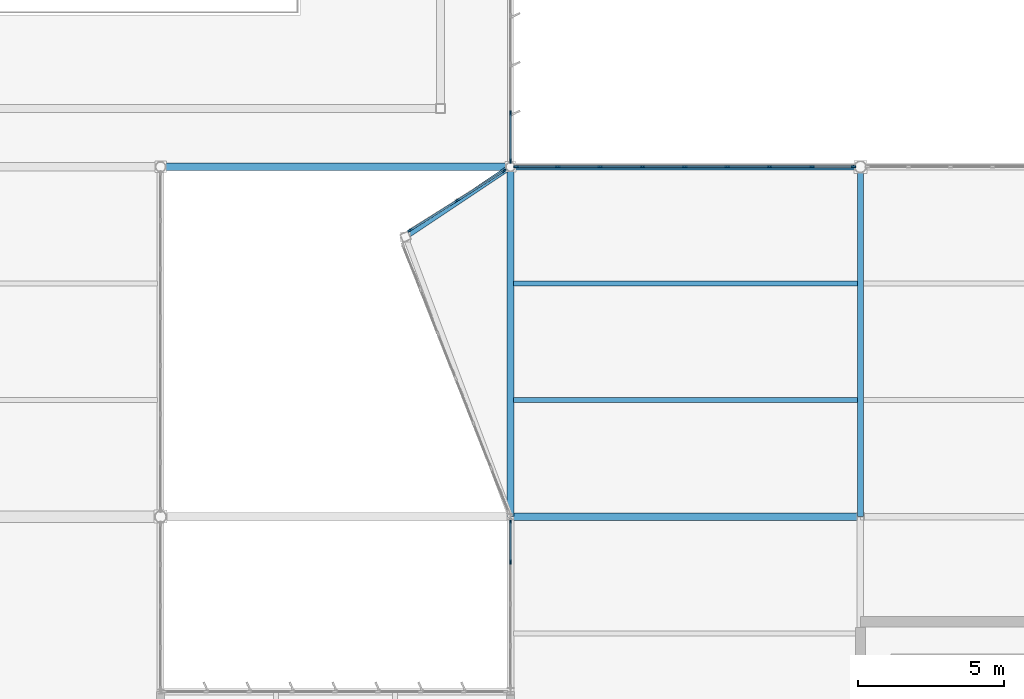
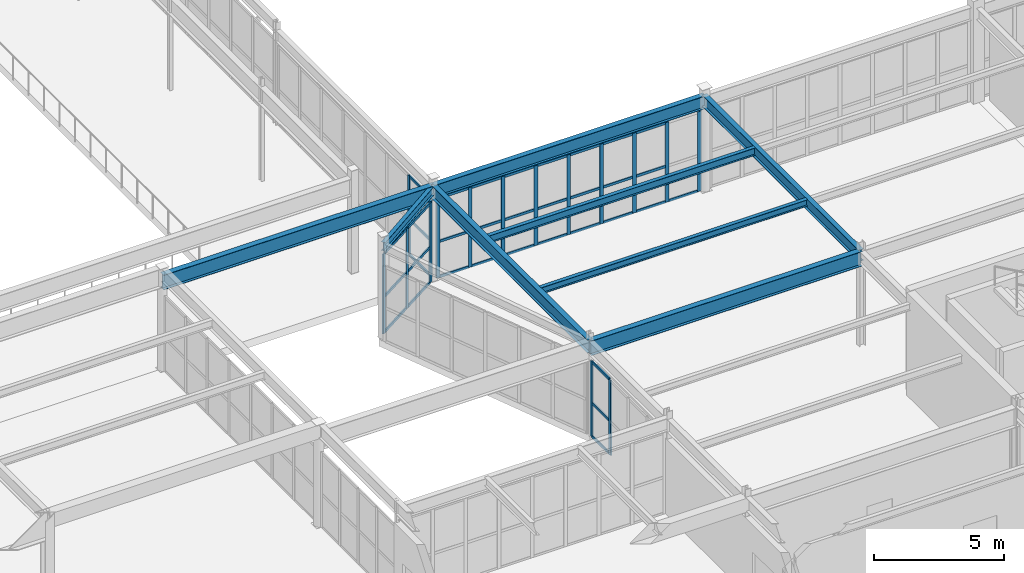
# One storey, part 93 of 186: 50 members, 8 beams, 4 elements without a shape of their own.
"""IFC4 building model written with IfcOpenShell, lengths in metres."""

from ifc_helpers import new_model, si_unit, direction, frame, origin, origin_2d, place, context, subcontext, project, spatial, rectangle, i_section, extrude, material, layer, layer_set, material_profile, profile_set, type_object, element, aggregate, save


model = new_model("IFC4")

# Units and contexts
model_context = context("Model", 3, precision=1e-05, world=origin(), true_north=direction((0.0, 1.0)))
body_context = subcontext(model_context, "Body", "Model", "MODEL_VIEW")
ifc_project = project(units=[si_unit("LENGTHUNIT", "METRE"), si_unit("AREAUNIT", "SQUARE_METRE"), si_unit("VOLUMEUNIT", "CUBIC_METRE"), si_unit("PLANEANGLEUNIT", "RADIAN"), si_unit("MASSUNIT", "GRAM", prefix="KILO")], contexts=[model_context])

# Site, building, storey
site_placement = place(None, origin())
site = spatial("IfcSite", under=ifc_project, at=site_placement, CompositionType="ELEMENT")
building_placement = place(site_placement, origin())
building = spatial("IfcBuilding", under=site, at=building_placement, Name="Tarnwether General Hospital", CompositionType="ELEMENT")
storey_placement = place(building_placement, frame((0.0, 0.0, 9.60009765625)))
storey = spatial("IfcBuildingStorey", under=building, at=storey_placement, Name="L02", CompositionType="ELEMENT", Elevation=9.60009765625)

# Beams
ifc_material_1 = material(Name="Steel Grade 350 (350 MPa)", Category="steel")
ifc_material_profile_1 = material_profile(ifc_material_1, i_section(OverallWidth=0.25, OverallDepth=0.69189453125, WebThickness=0.009033203125, FlangeThickness=0.01611328125, at=origin_2d()), Name="700WB115")
ifc_profile_set_1 = profile_set([ifc_material_profile_1], Name="Steel Grade 350 (350 MPa)")
beam_type_1 = type_object("IfcBeamType", Name="BM-G02", PredefinedType="BEAM", material=ifc_profile_set_1)
for number, where, z_axis, x_axis, name in (
    (1, (132.0, 45.60009765625, 4.098876953125), (1.0, 0.0, 0.0), (0.0, 1.0, 0.0), "Primary Girder BMG-L02-13200_4560-14400_4560-1557"),
    (2, (144.0, 33.60009765625, 4.098876953125), (1.0, 0.0, 0.0), (0.0, 1.0, 0.0), "Primary Girder BMG-L02-14400_3360-15600_3360-1573"),
):
    element("IfcBeam", number, at=place(storey_placement, frame(where, z_axis=z_axis, x_axis=x_axis)), inside=storey, type_object=beam_type_1, Name=name, PredefinedType="BEAM", context=body_context, shape_type="SweptSolid", body=[
        extrude(i_section(OverallWidth=0.25, OverallDepth=0.69189453125, WebThickness=0.009033203125, FlangeThickness=0.01611328125, at=origin_2d()), origin(), (0.0, 0.0, 1.0), 12.0),
    ])
ifc_material_2 = material(Name="Steel Grade 350 (350 MPa)", Category="steel")
ifc_material_profile_2 = material_profile(ifc_material_2, i_section(OverallWidth=0.22900390625, OverallDepth=0.612060546875, WebThickness=0.011962890625, FlangeThickness=0.01953125, at=origin_2d()), Name="610UB125")
ifc_profile_set_2 = profile_set([ifc_material_profile_2], Name="Steel Grade 350 (350 MPa)")
beam_type_2 = type_object("IfcBeamType", Name="BM-G03", PredefinedType="BEAM", material=ifc_profile_set_2)
beam_1_placement = place(storey_placement, frame((144.0, 45.60009765625, 4.138916015625), z_axis=(1.0, 0.0, 0.0), x_axis=(0.0, 1.0, 0.0)))
element("IfcBeam", 3, at=beam_1_placement, inside=storey, type_object=beam_type_2, Name="Primary Girder BMG-L02-14400_4560-15600_4560-1575", PredefinedType="BEAM", context=body_context, shape_type="SweptSolid", body=[
    extrude(i_section(OverallWidth=0.22900390625, OverallDepth=0.612060546875, WebThickness=0.011962890625, FlangeThickness=0.01953125, at=origin_2d()), origin(), (0.0, 0.0, 1.0), 12.0),
])
ifc_material_3 = material(Name="Steel Grade 350 (350 MPa)", Category="steel")
ifc_material_profile_3 = material_profile(ifc_material_3, i_section(OverallWidth=0.22802734375, OverallDepth=0.60205078125, WebThickness=0.010498046875, FlangeThickness=0.014892578125, at=origin_2d()), Name="610UB101")
ifc_profile_set_3 = profile_set([ifc_material_profile_3], Name="Steel Grade 350 (350 MPa)")
beam_type_3 = type_object("IfcBeamType", Name="BM-G05", PredefinedType="BEAM", material=ifc_profile_set_3)
beam_2_placement = place(storey_placement, frame((144.0, 33.60009765625, 4.143798828125), z_axis=(0.0, 1.0, 0.0), x_axis=(-1.0, 0.0, 0.0)))
element("IfcBeam", 4, at=beam_2_placement, inside=storey, type_object=beam_type_3, Name="Primary Girder BMG-L02-14400_3360-14400_4560-1574", PredefinedType="BEAM", context=body_context, shape_type="SweptSolid", body=[
    extrude(i_section(OverallWidth=0.22802734375, OverallDepth=0.60205078125, WebThickness=0.010498046875, FlangeThickness=0.014892578125, at=origin_2d()), origin(), (0.0, 0.0, 1.0), 12.0),
])
ifc_material_4 = material(Name="Steel Grade 350 (350 MPa)", Category="steel")
ifc_material_profile_4 = material_profile(ifc_material_4, i_section(OverallWidth=0.208984375, OverallDepth=0.532958984375, WebThickness=0.01025390625, FlangeThickness=0.015625, at=origin_2d()), Name="530UB92.4")
ifc_profile_set_4 = profile_set([ifc_material_profile_4], Name="Steel Grade 350 (350 MPa)")
beam_type_4 = type_object("IfcBeamType", Name="BM-G06", PredefinedType="BEAM", material=ifc_profile_set_4)
beam_3_placement = place(storey_placement, frame((156.0, 33.60009765625, 4.178466796875), z_axis=(0.0, 1.0, 0.0), x_axis=(-1.0, 0.0, 0.0)))
element("IfcBeam", 5, at=beam_3_placement, inside=storey, type_object=beam_type_4, Name="Primary Girder BMG-L02-15600_3360-15600_4560-1595", PredefinedType="BEAM", context=body_context, shape_type="SweptSolid", body=[
    extrude(i_section(OverallWidth=0.208984375, OverallDepth=0.532958984375, WebThickness=0.01025390625, FlangeThickness=0.015625, at=origin_2d()), origin(), (0.0, 0.0, 1.0), 12.0),
])
ifc_material_5 = material(Name="Steel Grade 350 (350 MPa)", Category="steel")
ifc_material_profile_5 = material_profile(ifc_material_5, i_section(OverallWidth=0.166015625, OverallDepth=0.306884765625, WebThickness=0.006591796875, FlangeThickness=0.01171875, at=origin_2d()), Name="310UB46.2")
ifc_profile_set_5 = profile_set([ifc_material_profile_5], Name="Steel Grade 350 (350 MPa)")
beam_type_5 = type_object("IfcBeamType", Name="BM-J05", PredefinedType="JOIST", material=ifc_profile_set_5)
beam_4_placement = place(storey_placement, frame((144.10791015625, 37.60009765625, 4.29150390625), z_axis=(1.0, 0.0, 0.0), x_axis=(0.0, 1.0, 0.0)))
element("IfcBeam", 6, at=beam_4_placement, inside=storey, type_object=beam_type_5, Name="Composite Floor Joist BMG-L02-14411_3760-15590_3760-1712", PredefinedType="JOIST", context=body_context, shape_type="SweptSolid", body=[
    extrude(i_section(OverallWidth=0.166015625, OverallDepth=0.306884765625, WebThickness=0.006591796875, FlangeThickness=0.01171875, at=origin_2d()), origin(), (0.0, 0.0, 1.0), 11.79296875),
])
ifc_material_6 = material(Name="Steel Grade 350 (350 MPa)", Category="steel")
ifc_material_profile_6 = material_profile(ifc_material_6, i_section(OverallWidth=0.1708984375, OverallDepth=0.35205078125, WebThickness=0.0068359375, FlangeThickness=0.009765625, at=origin_2d()), Name="360UB44.7")
ifc_profile_set_6 = profile_set([ifc_material_profile_6], Name="Steel Grade 350 (350 MPa)")
beam_type_6 = type_object("IfcBeamType", Name="BM-J06", PredefinedType="JOIST", material=ifc_profile_set_6)
beam_5_placement = place(storey_placement, frame((144.10791015625, 41.60009765625, 4.268798828125), z_axis=(1.0, 0.0, 0.0), x_axis=(0.0, 1.0, 0.0)))
element("IfcBeam", 7, at=beam_5_placement, inside=storey, type_object=beam_type_6, Name="Composite Floor Joist BMG-L02-14411_4160-15590_4160-1713", PredefinedType="JOIST", context=body_context, shape_type="SweptSolid", body=[
    extrude(i_section(OverallWidth=0.1708984375, OverallDepth=0.35205078125, WebThickness=0.0068359375, FlangeThickness=0.009765625, at=origin_2d()), origin(), (0.0, 0.0, 1.0), 11.79296875),
])
ifc_material_7 = material(Name="Steel Grade 350 (350 MPa)", Category="steel")
ifc_material_profile_7 = material_profile(ifc_material_7, i_section(OverallWidth=0.177978515625, OverallDepth=0.403076171875, WebThickness=0.007568359375, FlangeThickness=0.010986328125, at=origin_2d()), Name="410UB53.7")
ifc_profile_set_7 = profile_set([ifc_material_profile_7], Name="Steel Grade 350 (350 MPa)")
beam_type_7 = type_object("IfcBeamType", Name="BM-SP2", PredefinedType="SPANDREL", material=ifc_profile_set_7)
beam_6_placement = place(storey_placement, frame((140.39990234375, 43.199951171875, 4.228515625), z_axis=(0.832041613482, 0.554713217289, 0.0), x_axis=(-0.554713217289, 0.832041613482, 0.0)))
element("IfcBeam", 8, at=beam_6_placement, inside=storey, type_object=beam_type_7, Name="Forecourt South Shard Tie BMG-L02-14040_4320-14400_4560-2233", PredefinedType="SPANDREL", context=body_context, shape_type="SweptSolid", body=[
    extrude(i_section(OverallWidth=0.177978515625, OverallDepth=0.403076171875, WebThickness=0.007568359375, FlangeThickness=0.010986328125, at=origin_2d()), origin(), (0.0, 0.0, 1.0), 4.326904296875),
])

# Curtain wall, members
ifc_material_8 = material(Name="Anodised aluminium", Category="aluminium")
ifc_layer_1 = layer(ifc_material_8, 0.179931640625)
ifc_layer_set_1 = layer_set([ifc_layer_1], Name="Anodised aluminium")
curtain_wall_type_1 = type_object("IfcCurtainWallType", Name="CW-06", PredefinedType="NOTDEFINED", material=ifc_layer_set_1)
curtain_wall_1_placement = place(storey_placement, origin())
curtain_wall_1 = element("IfcCurtainWall", 9, at=curtain_wall_1_placement, inside=storey, type_object=curtain_wall_type_1, Name="Curtain Wall CWG-L02-1440_575-0418", PredefinedType="NOTDEFINED")
ifc_material_9 = material(Name="Anodised aluminium", Category="aluminium")
ifc_material_profile_8 = material_profile(ifc_material_9, rectangle(XDim=0.06005859375, YDim=0.159912109375, at=origin_2d()), Name="ALU-MUL-60x160")
ifc_profile_set_8 = profile_set([ifc_material_profile_8], Name="Anodised aluminium")
member_type_1 = type_object("IfcMemberType", Name="CW-ML1", PredefinedType="MULLION", material=ifc_profile_set_8)
member_1_placement = place(storey_placement, frame((144.0, 47.4443359375, 0.0), z_axis=(0.0, 0.0, 1.0), x_axis=(1.0, 0.0, 0.0)))
member_1 = element("IfcMember", 10, at=member_1_placement, type_object=member_type_1, Name="CW-06 mullion 7", PredefinedType="MULLION", context=body_context, shape_type="SweptSolid", body=[
    extrude(rectangle(XDim=0.06005859375, YDim=0.159912109375, at=origin_2d()), origin(), (0.0, 0.0, 1.0), 3.73779296875),
])
member_2_placement = place(storey_placement, frame((144.0, 45.800048828125, 0.0), z_axis=(0.0, 0.0, 1.0), x_axis=(1.0, 0.0, 0.0)))
member_2 = element("IfcMember", 11, at=member_2_placement, type_object=member_type_1, Name="CW-06 mullion 8", PredefinedType="MULLION", context=body_context, shape_type="SweptSolid", body=[
    extrude(rectangle(XDim=0.06005859375, YDim=0.159912109375, at=origin_2d()), origin(), (0.0, 0.0, 1.0), 3.73779296875),
])

ifc_material_10 = material(Name="Anodised aluminium", Category="aluminium")
ifc_layer_2 = layer(ifc_material_10, 0.159912109375)
ifc_layer_set_2 = layer_set([ifc_layer_2], Name="Anodised aluminium")
curtain_wall_type_2 = type_object("IfcCurtainWallType", Name="CW-15", PredefinedType="NOTDEFINED", material=ifc_layer_set_2)
curtain_wall_2_placement = place(storey_placement, origin())
curtain_wall_2 = element("IfcCurtainWall", 12, at=curtain_wall_2_placement, inside=storey, type_object=curtain_wall_type_2, Name="Curtain Wall CWG-L02-1440_277-0440", PredefinedType="NOTDEFINED")
member_3_placement = place(storey_placement, frame((144.0, 32.049072265625, 0.0), z_axis=(0.0, 0.0, 1.0), x_axis=(-1.0, 0.0, 0.0)))
member_3 = element("IfcMember", 13, at=member_3_placement, type_object=member_type_1, Name="CW-15 mullion 4", PredefinedType="MULLION", context=body_context, shape_type="SweptSolid", body=[
    extrude(rectangle(XDim=0.06005859375, YDim=0.159912109375, at=origin_2d()), origin(), (0.0, 0.0, 1.0), 3.52978515625),
])
member_4_placement = place(storey_placement, frame((144.0, 33.45703125, 0.0), z_axis=(0.0, 0.0, 1.0), x_axis=(-1.0, 0.0, 0.0)))
member_4 = element("IfcMember", 14, at=member_4_placement, type_object=member_type_1, Name="CW-15 mullion 5", PredefinedType="MULLION", context=body_context, shape_type="SweptSolid", body=[
    extrude(rectangle(XDim=0.06005859375, YDim=0.159912109375, at=origin_2d()), origin(), (0.0, 0.0, 1.0), 3.52978515625),
])

curtain_wall_3_placement = place(storey_placement, origin())
curtain_wall_3 = element("IfcCurtainWall", 15, at=curtain_wall_3_placement, inside=storey, type_object=curtain_wall_type_2, Name="Curtain Wall CWG-L02-1405_434-0442", PredefinedType="NOTDEFINED")
member_5_placement = place(storey_placement, frame((140.55029296875, 43.4208984375, 0.0), z_axis=(0.0, 0.0, 1.0), x_axis=(-0.534002692561, 0.845482775896, 0.0)))
member_5 = element("IfcMember", 16, at=member_5_placement, type_object=member_type_1, Name="CW-15 mullion 1", PredefinedType="MULLION", context=body_context, shape_type="SweptSolid", body=[
    extrude(rectangle(XDim=0.06005859375, YDim=0.159912109375, at=origin_2d()), origin(), (0.0, 0.0, 1.0), 3.73779296875),
])
member_6_placement = place(storey_placement, frame((142.16455078125, 44.4404296875, 0.0), z_axis=(0.0, 0.0, 1.0), x_axis=(-0.534002692561, 0.845482775896, 0.0)))
member_6 = element("IfcMember", 17, at=member_6_placement, type_object=member_type_1, Name="CW-15 mullion 2", PredefinedType="MULLION", context=body_context, shape_type="SweptSolid", body=[
    extrude(rectangle(XDim=0.06005859375, YDim=0.159912109375, at=origin_2d()), origin(), (0.0, 0.0, 1.0), 3.73779296875),
])
member_7_placement = place(storey_placement, frame((143.778564453125, 45.4599609375, 0.0), z_axis=(0.0, 0.0, 1.0), x_axis=(-0.534002692561, 0.845482775896, 0.0)))
member_7 = element("IfcMember", 18, at=member_7_placement, type_object=member_type_1, Name="CW-15 mullion 3", PredefinedType="MULLION", context=body_context, shape_type="SweptSolid", body=[
    extrude(rectangle(XDim=0.06005859375, YDim=0.159912109375, at=origin_2d()), origin(), (0.0, 0.0, 1.0), 3.73779296875),
])

ifc_material_11 = material(Name="Anodised aluminium", Category="aluminium")
ifc_layer_3 = layer(ifc_material_11, 0.159912109375)
ifc_layer_set_3 = layer_set([ifc_layer_3], Name="Anodised aluminium")
curtain_wall_type_3 = type_object("IfcCurtainWallType", Name="CW-18", PredefinedType="NOTDEFINED", material=ifc_layer_set_3)
curtain_wall_4_placement = place(storey_placement, origin())
curtain_wall_4 = element("IfcCurtainWall", 19, at=curtain_wall_4_placement, inside=storey, type_object=curtain_wall_type_3, Name="Curtain Wall CWG-L02-1442_456-0452", PredefinedType="NOTDEFINED")
member_8_placement = place(storey_placement, frame((144.199951171875, 45.60009765625, 0.0), z_axis=(0.0, 0.0, 1.0), x_axis=(0.0, 1.0, 0.0)))
member_8 = element("IfcMember", 20, at=member_8_placement, type_object=member_type_1, Name="CW-18 mullion 1", PredefinedType="MULLION", context=body_context, shape_type="SweptSolid", body=[
    extrude(rectangle(XDim=0.06005859375, YDim=0.159912109375, at=origin_2d()), origin(), (0.0, 0.0, 1.0), 3.73779296875),
])
member_9_placement = place(storey_placement, frame((145.622314453125, 45.60009765625, 0.0), z_axis=(0.0, 0.0, 1.0), x_axis=(0.0, 1.0, 0.0)))
member_9 = element("IfcMember", 21, at=member_9_placement, type_object=member_type_1, Name="CW-18 mullion 2", PredefinedType="MULLION", context=body_context, shape_type="SweptSolid", body=[
    extrude(rectangle(XDim=0.06005859375, YDim=0.159912109375, at=origin_2d()), origin(), (0.0, 0.0, 1.0), 3.73779296875),
])
member_10_placement = place(storey_placement, frame((147.07470703125, 45.60009765625, 0.0), z_axis=(0.0, 0.0, 1.0), x_axis=(0.0, 1.0, 0.0)))
member_10 = element("IfcMember", 22, at=member_10_placement, type_object=member_type_1, Name="CW-18 mullion 3", PredefinedType="MULLION", context=body_context, shape_type="SweptSolid", body=[
    extrude(rectangle(XDim=0.06005859375, YDim=0.159912109375, at=origin_2d()), origin(), (0.0, 0.0, 1.0), 3.73779296875),
])
member_11_placement = place(storey_placement, frame((148.527099609375, 45.60009765625, 0.0), z_axis=(0.0, 0.0, 1.0), x_axis=(0.0, 1.0, 0.0)))
member_11 = element("IfcMember", 23, at=member_11_placement, type_object=member_type_1, Name="CW-18 mullion 4", PredefinedType="MULLION", context=body_context, shape_type="SweptSolid", body=[
    extrude(rectangle(XDim=0.06005859375, YDim=0.159912109375, at=origin_2d()), origin(), (0.0, 0.0, 1.0), 3.73779296875),
])
member_12_placement = place(storey_placement, frame((149.9794921875, 45.60009765625, 0.0), z_axis=(0.0, 0.0, 1.0), x_axis=(0.0, 1.0, 0.0)))
member_12 = element("IfcMember", 24, at=member_12_placement, type_object=member_type_1, Name="CW-18 mullion 5", PredefinedType="MULLION", context=body_context, shape_type="SweptSolid", body=[
    extrude(rectangle(XDim=0.06005859375, YDim=0.159912109375, at=origin_2d()), origin(), (0.0, 0.0, 1.0), 3.73779296875),
])
member_13_placement = place(storey_placement, frame((151.431884765625, 45.60009765625, 0.0), z_axis=(0.0, 0.0, 1.0), x_axis=(0.0, 1.0, 0.0)))
member_13 = element("IfcMember", 25, at=member_13_placement, type_object=member_type_1, Name="CW-18 mullion 6", PredefinedType="MULLION", context=body_context, shape_type="SweptSolid", body=[
    extrude(rectangle(XDim=0.06005859375, YDim=0.159912109375, at=origin_2d()), origin(), (0.0, 0.0, 1.0), 3.73779296875),
])
member_14_placement = place(storey_placement, frame((152.88427734375, 45.60009765625, 0.0), z_axis=(0.0, 0.0, 1.0), x_axis=(0.0, 1.0, 0.0)))
member_14 = element("IfcMember", 26, at=member_14_placement, type_object=member_type_1, Name="CW-18 mullion 7", PredefinedType="MULLION", context=body_context, shape_type="SweptSolid", body=[
    extrude(rectangle(XDim=0.06005859375, YDim=0.159912109375, at=origin_2d()), origin(), (0.0, 0.0, 1.0), 3.73779296875),
])
member_15_placement = place(storey_placement, frame((154.336669921875, 45.60009765625, 0.0), z_axis=(0.0, 0.0, 1.0), x_axis=(0.0, 1.0, 0.0)))
member_15 = element("IfcMember", 27, at=member_15_placement, type_object=member_type_1, Name="CW-18 mullion 8", PredefinedType="MULLION", context=body_context, shape_type="SweptSolid", body=[
    extrude(rectangle(XDim=0.06005859375, YDim=0.159912109375, at=origin_2d()), origin(), (0.0, 0.0, 1.0), 3.73779296875),
])
member_16_placement = place(storey_placement, frame((155.759033203125, 45.60009765625, 0.0), z_axis=(0.0, 0.0, 1.0), x_axis=(0.0, 1.0, 0.0)))
member_16 = element("IfcMember", 28, at=member_16_placement, type_object=member_type_1, Name="CW-18 mullion 9", PredefinedType="MULLION", context=body_context, shape_type="SweptSolid", body=[
    extrude(rectangle(XDim=0.06005859375, YDim=0.159912109375, at=origin_2d()), origin(), (0.0, 0.0, 1.0), 3.73779296875),
])

# Member
ifc_material_12 = material(Name="Anodised aluminium", Category="aluminium")
ifc_material_profile_9 = material_profile(ifc_material_12, rectangle(XDim=0.06005859375, YDim=0.1201171875, at=origin_2d()), Name="ALU-TRN-60x120")
ifc_profile_set_9 = profile_set([ifc_material_profile_9], Name="Anodised aluminium")
member_type_2 = type_object("IfcMemberType", Name="CW-TR1", PredefinedType="USERDEFINED", material=ifc_profile_set_9)
member_17_placement = place(storey_placement, frame((144.0, 47.414306640625, 0.02978515625), z_axis=(0.0, -1.0, 0.0), x_axis=(1.0, 0.0, 0.0)))
member_17 = element("IfcMember", 29, at=member_17_placement, type_object=member_type_2, Name="CW-06 transom 7.1", ObjectType="TRANSOM", PredefinedType="USERDEFINED", context=body_context, shape_type="SweptSolid", body=[
    extrude(rectangle(XDim=0.06005859375, YDim=0.1201171875, at=origin_2d()), origin(), (0.0, 0.0, 1.0), 1.584228515625),
])

member_18_placement = place(storey_placement, frame((144.0, 47.414306640625, 1.681884765625), z_axis=(0.0, -1.0, 0.0), x_axis=(1.0, 0.0, 0.0)))
member_18 = element("IfcMember", 30, at=member_18_placement, type_object=member_type_2, Name="CW-06 transom 7.2", ObjectType="TRANSOM", PredefinedType="USERDEFINED", context=body_context, shape_type="SweptSolid", body=[
    extrude(rectangle(XDim=0.06005859375, YDim=0.1201171875, at=origin_2d()), origin(), (0.0, 0.0, 1.0), 1.584228515625),
])

member_19_placement = place(storey_placement, frame((144.0, 47.414306640625, 3.7080078125), z_axis=(0.0, -1.0, 0.0), x_axis=(1.0, 0.0, 0.0)))
member_19 = element("IfcMember", 31, at=member_19_placement, type_object=member_type_2, Name="CW-06 transom 7.3", ObjectType="TRANSOM", PredefinedType="USERDEFINED", context=body_context, shape_type="SweptSolid", body=[
    extrude(rectangle(XDim=0.06005859375, YDim=0.1201171875, at=origin_2d()), origin(), (0.0, 0.0, 1.0), 1.584228515625),
])

aggregate(curtain_wall_1, [member_1, member_2, member_17, member_18, member_19])

member_20_placement = place(storey_placement, frame((144.0, 32.0791015625, 0.02978515625), z_axis=(0.0, 1.0, 0.0), x_axis=(-1.0, 0.0, 0.0)))
member_20 = element("IfcMember", 32, at=member_20_placement, type_object=member_type_2, Name="CW-15 transom 4.1", ObjectType="TRANSOM", PredefinedType="USERDEFINED", context=body_context, shape_type="SweptSolid", body=[
    extrude(rectangle(XDim=0.06005859375, YDim=0.1201171875, at=origin_2d()), origin(), (0.0, 0.0, 1.0), 1.347900390625),
])

member_21_placement = place(storey_placement, frame((144.0, 32.0791015625, 1.58837890625), z_axis=(0.0, 1.0, 0.0), x_axis=(-1.0, 0.0, 0.0)))
member_21 = element("IfcMember", 33, at=member_21_placement, type_object=member_type_2, Name="CW-15 transom 4.2", ObjectType="TRANSOM", PredefinedType="USERDEFINED", context=body_context, shape_type="SweptSolid", body=[
    extrude(rectangle(XDim=0.06005859375, YDim=0.1201171875, at=origin_2d()), origin(), (0.0, 0.0, 1.0), 1.347900390625),
])

member_22_placement = place(storey_placement, frame((144.0, 32.0791015625, 3.5), z_axis=(0.0, 1.0, 0.0), x_axis=(-1.0, 0.0, 0.0)))
member_22 = element("IfcMember", 34, at=member_22_placement, type_object=member_type_2, Name="CW-15 transom 4.3", ObjectType="TRANSOM", PredefinedType="USERDEFINED", context=body_context, shape_type="SweptSolid", body=[
    extrude(rectangle(XDim=0.06005859375, YDim=0.1201171875, at=origin_2d()), origin(), (0.0, 0.0, 1.0), 1.347900390625),
])

aggregate(curtain_wall_2, [member_3, member_4, member_20, member_21, member_22])

member_23_placement = place(storey_placement, frame((140.57568359375, 43.43701171875, 0.02978515625), z_axis=(0.845466942272, 0.534027761007, 0.0), x_axis=(-0.534027761007, 0.845466942272, 0.0)))
member_23 = element("IfcMember", 35, at=member_23_placement, type_object=member_type_2, Name="CW-15 transom 1.1", ObjectType="TRANSOM", PredefinedType="USERDEFINED", context=body_context, shape_type="SweptSolid", body=[
    extrude(rectangle(XDim=0.06005859375, YDim=0.1201171875, at=origin_2d()), origin(), (0.0, 0.0, 1.0), 1.849365234375),
])

member_24_placement = place(storey_placement, frame((140.57568359375, 43.43701171875, 1.681884765625), z_axis=(0.845466942272, 0.534027761007, 0.0), x_axis=(-0.534027761007, 0.845466942272, 0.0)))
member_24 = element("IfcMember", 36, at=member_24_placement, type_object=member_type_2, Name="CW-15 transom 1.2", ObjectType="TRANSOM", PredefinedType="USERDEFINED", context=body_context, shape_type="SweptSolid", body=[
    extrude(rectangle(XDim=0.06005859375, YDim=0.1201171875, at=origin_2d()), origin(), (0.0, 0.0, 1.0), 1.849365234375),
])

member_25_placement = place(storey_placement, frame((140.57568359375, 43.43701171875, 3.7080078125), z_axis=(0.845466942272, 0.534027761007, 0.0), x_axis=(-0.534027761007, 0.845466942272, 0.0)))
member_25 = element("IfcMember", 37, at=member_25_placement, type_object=member_type_2, Name="CW-15 transom 1.3", ObjectType="TRANSOM", PredefinedType="USERDEFINED", context=body_context, shape_type="SweptSolid", body=[
    extrude(rectangle(XDim=0.06005859375, YDim=0.1201171875, at=origin_2d()), origin(), (0.0, 0.0, 1.0), 1.849365234375),
])

member_26_placement = place(storey_placement, frame((142.18994140625, 44.45654296875, 0.02978515625), z_axis=(0.845488903031, 0.533992991388, 0.0), x_axis=(-0.533992991388, 0.845488903031, 0.0)))
member_26 = element("IfcMember", 38, at=member_26_placement, type_object=member_type_2, Name="CW-15 transom 2.1", ObjectType="TRANSOM", PredefinedType="USERDEFINED", context=body_context, shape_type="SweptSolid", body=[
    extrude(rectangle(XDim=0.06005859375, YDim=0.1201171875, at=origin_2d()), origin(), (0.0, 0.0, 1.0), 1.848876953125),
])

member_27_placement = place(storey_placement, frame((142.18994140625, 44.45654296875, 1.681884765625), z_axis=(0.845488903031, 0.533992991388, 0.0), x_axis=(-0.533992991388, 0.845488903031, 0.0)))
member_27 = element("IfcMember", 39, at=member_27_placement, type_object=member_type_2, Name="CW-15 transom 2.2", ObjectType="TRANSOM", PredefinedType="USERDEFINED", context=body_context, shape_type="SweptSolid", body=[
    extrude(rectangle(XDim=0.06005859375, YDim=0.1201171875, at=origin_2d()), origin(), (0.0, 0.0, 1.0), 1.848876953125),
])

member_28_placement = place(storey_placement, frame((142.18994140625, 44.45654296875, 3.7080078125), z_axis=(0.845488903031, 0.533992991388, 0.0), x_axis=(-0.533992991388, 0.845488903031, 0.0)))
member_28 = element("IfcMember", 40, at=member_28_placement, type_object=member_type_2, Name="CW-15 transom 2.3", ObjectType="TRANSOM", PredefinedType="USERDEFINED", context=body_context, shape_type="SweptSolid", body=[
    extrude(rectangle(XDim=0.06005859375, YDim=0.1201171875, at=origin_2d()), origin(), (0.0, 0.0, 1.0), 1.848876953125),
])

aggregate(curtain_wall_3, [member_5, member_6, member_7, member_23, member_24, member_25, member_26, member_27, member_28])

member_29_placement = place(storey_placement, frame((144.22998046875, 45.60009765625, 0.02978515625), z_axis=(1.0, 0.0, 0.0), x_axis=(0.0, 1.0, 0.0)))
member_29 = element("IfcMember", 41, at=member_29_placement, type_object=member_type_2, Name="CW-18 transom 1.1", ObjectType="TRANSOM", PredefinedType="USERDEFINED", context=body_context, shape_type="SweptSolid", body=[
    extrude(rectangle(XDim=0.06005859375, YDim=0.1201171875, at=origin_2d()), origin(), (0.0, 0.0, 1.0), 1.3623046875),
])

member_30_placement = place(storey_placement, frame((144.22998046875, 45.60009765625, 1.681884765625), z_axis=(1.0, 0.0, 0.0), x_axis=(0.0, 1.0, 0.0)))
member_30 = element("IfcMember", 42, at=member_30_placement, type_object=member_type_2, Name="CW-18 transom 1.2", ObjectType="TRANSOM", PredefinedType="USERDEFINED", context=body_context, shape_type="SweptSolid", body=[
    extrude(rectangle(XDim=0.06005859375, YDim=0.1201171875, at=origin_2d()), origin(), (0.0, 0.0, 1.0), 1.3623046875),
])

member_31_placement = place(storey_placement, frame((144.22998046875, 45.60009765625, 3.7080078125), z_axis=(1.0, 0.0, 0.0), x_axis=(0.0, 1.0, 0.0)))
member_31 = element("IfcMember", 43, at=member_31_placement, type_object=member_type_2, Name="CW-18 transom 1.3", ObjectType="TRANSOM", PredefinedType="USERDEFINED", context=body_context, shape_type="SweptSolid", body=[
    extrude(rectangle(XDim=0.06005859375, YDim=0.1201171875, at=origin_2d()), origin(), (0.0, 0.0, 1.0), 1.3623046875),
])

member_32_placement = place(storey_placement, frame((145.65234375, 45.60009765625, 0.02978515625), z_axis=(1.0, 0.0, 0.0), x_axis=(0.0, 1.0, 0.0)))
member_32 = element("IfcMember", 44, at=member_32_placement, type_object=member_type_2, Name="CW-18 transom 2.1", ObjectType="TRANSOM", PredefinedType="USERDEFINED", context=body_context, shape_type="SweptSolid", body=[
    extrude(rectangle(XDim=0.06005859375, YDim=0.1201171875, at=origin_2d()), origin(), (0.0, 0.0, 1.0), 1.392333984375),
])

member_33_placement = place(storey_placement, frame((145.65234375, 45.60009765625, 1.681884765625), z_axis=(1.0, 0.0, 0.0), x_axis=(0.0, 1.0, 0.0)))
member_33 = element("IfcMember", 45, at=member_33_placement, type_object=member_type_2, Name="CW-18 transom 2.2", ObjectType="TRANSOM", PredefinedType="USERDEFINED", context=body_context, shape_type="SweptSolid", body=[
    extrude(rectangle(XDim=0.06005859375, YDim=0.1201171875, at=origin_2d()), origin(), (0.0, 0.0, 1.0), 1.392333984375),
])

member_34_placement = place(storey_placement, frame((145.65234375, 45.60009765625, 3.7080078125), z_axis=(1.0, 0.0, 0.0), x_axis=(0.0, 1.0, 0.0)))
member_34 = element("IfcMember", 46, at=member_34_placement, type_object=member_type_2, Name="CW-18 transom 2.3", ObjectType="TRANSOM", PredefinedType="USERDEFINED", context=body_context, shape_type="SweptSolid", body=[
    extrude(rectangle(XDim=0.06005859375, YDim=0.1201171875, at=origin_2d()), origin(), (0.0, 0.0, 1.0), 1.392333984375),
])

member_35_placement = place(storey_placement, frame((147.104736328125, 45.60009765625, 0.02978515625), z_axis=(1.0, 0.0, 0.0), x_axis=(0.0, 1.0, 0.0)))
member_35 = element("IfcMember", 47, at=member_35_placement, type_object=member_type_2, Name="CW-18 transom 3.1", ObjectType="TRANSOM", PredefinedType="USERDEFINED", context=body_context, shape_type="SweptSolid", body=[
    extrude(rectangle(XDim=0.06005859375, YDim=0.1201171875, at=origin_2d()), origin(), (0.0, 0.0, 1.0), 1.392333984375),
])

member_36_placement = place(storey_placement, frame((147.104736328125, 45.60009765625, 1.681884765625), z_axis=(1.0, 0.0, 0.0), x_axis=(0.0, 1.0, 0.0)))
member_36 = element("IfcMember", 48, at=member_36_placement, type_object=member_type_2, Name="CW-18 transom 3.2", ObjectType="TRANSOM", PredefinedType="USERDEFINED", context=body_context, shape_type="SweptSolid", body=[
    extrude(rectangle(XDim=0.06005859375, YDim=0.1201171875, at=origin_2d()), origin(), (0.0, 0.0, 1.0), 1.392333984375),
])

member_37_placement = place(storey_placement, frame((147.104736328125, 45.60009765625, 3.7080078125), z_axis=(1.0, 0.0, 0.0), x_axis=(0.0, 1.0, 0.0)))
member_37 = element("IfcMember", 49, at=member_37_placement, type_object=member_type_2, Name="CW-18 transom 3.3", ObjectType="TRANSOM", PredefinedType="USERDEFINED", context=body_context, shape_type="SweptSolid", body=[
    extrude(rectangle(XDim=0.06005859375, YDim=0.1201171875, at=origin_2d()), origin(), (0.0, 0.0, 1.0), 1.392333984375),
])

member_38_placement = place(storey_placement, frame((148.55712890625, 45.60009765625, 0.02978515625), z_axis=(1.0, 0.0, 0.0), x_axis=(0.0, 1.0, 0.0)))
member_38 = element("IfcMember", 50, at=member_38_placement, type_object=member_type_2, Name="CW-18 transom 4.1", ObjectType="TRANSOM", PredefinedType="USERDEFINED", context=body_context, shape_type="SweptSolid", body=[
    extrude(rectangle(XDim=0.06005859375, YDim=0.1201171875, at=origin_2d()), origin(), (0.0, 0.0, 1.0), 1.392333984375),
])

member_39_placement = place(storey_placement, frame((148.55712890625, 45.60009765625, 1.681884765625), z_axis=(1.0, 0.0, 0.0), x_axis=(0.0, 1.0, 0.0)))
member_39 = element("IfcMember", 51, at=member_39_placement, type_object=member_type_2, Name="CW-18 transom 4.2", ObjectType="TRANSOM", PredefinedType="USERDEFINED", context=body_context, shape_type="SweptSolid", body=[
    extrude(rectangle(XDim=0.06005859375, YDim=0.1201171875, at=origin_2d()), origin(), (0.0, 0.0, 1.0), 1.392333984375),
])

member_40_placement = place(storey_placement, frame((148.55712890625, 45.60009765625, 3.7080078125), z_axis=(1.0, 0.0, 0.0), x_axis=(0.0, 1.0, 0.0)))
member_40 = element("IfcMember", 52, at=member_40_placement, type_object=member_type_2, Name="CW-18 transom 4.3", ObjectType="TRANSOM", PredefinedType="USERDEFINED", context=body_context, shape_type="SweptSolid", body=[
    extrude(rectangle(XDim=0.06005859375, YDim=0.1201171875, at=origin_2d()), origin(), (0.0, 0.0, 1.0), 1.392333984375),
])

member_41_placement = place(storey_placement, frame((150.009521484375, 45.60009765625, 0.02978515625), z_axis=(1.0, 0.0, 0.0), x_axis=(0.0, 1.0, 0.0)))
member_41 = element("IfcMember", 53, at=member_41_placement, type_object=member_type_2, Name="CW-18 transom 5.1", ObjectType="TRANSOM", PredefinedType="USERDEFINED", context=body_context, shape_type="SweptSolid", body=[
    extrude(rectangle(XDim=0.06005859375, YDim=0.1201171875, at=origin_2d()), origin(), (0.0, 0.0, 1.0), 1.392333984375),
])

member_42_placement = place(storey_placement, frame((150.009521484375, 45.60009765625, 1.681884765625), z_axis=(1.0, 0.0, 0.0), x_axis=(0.0, 1.0, 0.0)))
member_42 = element("IfcMember", 54, at=member_42_placement, type_object=member_type_2, Name="CW-18 transom 5.2", ObjectType="TRANSOM", PredefinedType="USERDEFINED", context=body_context, shape_type="SweptSolid", body=[
    extrude(rectangle(XDim=0.06005859375, YDim=0.1201171875, at=origin_2d()), origin(), (0.0, 0.0, 1.0), 1.392333984375),
])

member_43_placement = place(storey_placement, frame((150.009521484375, 45.60009765625, 3.7080078125), z_axis=(1.0, 0.0, 0.0), x_axis=(0.0, 1.0, 0.0)))
member_43 = element("IfcMember", 55, at=member_43_placement, type_object=member_type_2, Name="CW-18 transom 5.3", ObjectType="TRANSOM", PredefinedType="USERDEFINED", context=body_context, shape_type="SweptSolid", body=[
    extrude(rectangle(XDim=0.06005859375, YDim=0.1201171875, at=origin_2d()), origin(), (0.0, 0.0, 1.0), 1.392333984375),
])

member_44_placement = place(storey_placement, frame((151.4619140625, 45.60009765625, 0.02978515625), z_axis=(1.0, 0.0, 0.0), x_axis=(0.0, 1.0, 0.0)))
member_44 = element("IfcMember", 56, at=member_44_placement, type_object=member_type_2, Name="CW-18 transom 6.1", ObjectType="TRANSOM", PredefinedType="USERDEFINED", context=body_context, shape_type="SweptSolid", body=[
    extrude(rectangle(XDim=0.06005859375, YDim=0.1201171875, at=origin_2d()), origin(), (0.0, 0.0, 1.0), 1.392333984375),
])

member_45_placement = place(storey_placement, frame((151.4619140625, 45.60009765625, 1.681884765625), z_axis=(1.0, 0.0, 0.0), x_axis=(0.0, 1.0, 0.0)))
member_45 = element("IfcMember", 57, at=member_45_placement, type_object=member_type_2, Name="CW-18 transom 6.2", ObjectType="TRANSOM", PredefinedType="USERDEFINED", context=body_context, shape_type="SweptSolid", body=[
    extrude(rectangle(XDim=0.06005859375, YDim=0.1201171875, at=origin_2d()), origin(), (0.0, 0.0, 1.0), 1.392333984375),
])

member_46_placement = place(storey_placement, frame((151.4619140625, 45.60009765625, 3.7080078125), z_axis=(1.0, 0.0, 0.0), x_axis=(0.0, 1.0, 0.0)))
member_46 = element("IfcMember", 58, at=member_46_placement, type_object=member_type_2, Name="CW-18 transom 6.3", ObjectType="TRANSOM", PredefinedType="USERDEFINED", context=body_context, shape_type="SweptSolid", body=[
    extrude(rectangle(XDim=0.06005859375, YDim=0.1201171875, at=origin_2d()), origin(), (0.0, 0.0, 1.0), 1.392333984375),
])

member_47_placement = place(storey_placement, frame((152.914306640625, 45.60009765625, 0.02978515625), z_axis=(1.0, 0.0, 0.0), x_axis=(0.0, 1.0, 0.0)))
member_47 = element("IfcMember", 59, at=member_47_placement, type_object=member_type_2, Name="CW-18 transom 7.1", ObjectType="TRANSOM", PredefinedType="USERDEFINED", context=body_context, shape_type="SweptSolid", body=[
    extrude(rectangle(XDim=0.06005859375, YDim=0.1201171875, at=origin_2d()), origin(), (0.0, 0.0, 1.0), 1.392333984375),
])

member_48_placement = place(storey_placement, frame((152.914306640625, 45.60009765625, 1.681884765625), z_axis=(1.0, 0.0, 0.0), x_axis=(0.0, 1.0, 0.0)))
member_48 = element("IfcMember", 60, at=member_48_placement, type_object=member_type_2, Name="CW-18 transom 7.2", ObjectType="TRANSOM", PredefinedType="USERDEFINED", context=body_context, shape_type="SweptSolid", body=[
    extrude(rectangle(XDim=0.06005859375, YDim=0.1201171875, at=origin_2d()), origin(), (0.0, 0.0, 1.0), 1.392333984375),
])

member_49_placement = place(storey_placement, frame((152.914306640625, 45.60009765625, 3.7080078125), z_axis=(1.0, 0.0, 0.0), x_axis=(0.0, 1.0, 0.0)))
member_49 = element("IfcMember", 61, at=member_49_placement, type_object=member_type_2, Name="CW-18 transom 7.3", ObjectType="TRANSOM", PredefinedType="USERDEFINED", context=body_context, shape_type="SweptSolid", body=[
    extrude(rectangle(XDim=0.06005859375, YDim=0.1201171875, at=origin_2d()), origin(), (0.0, 0.0, 1.0), 1.392333984375),
])

member_50_placement = place(storey_placement, frame((154.36669921875, 45.60009765625, 0.02978515625), z_axis=(1.0, 0.0, 0.0), x_axis=(0.0, 1.0, 0.0)))
member_50 = element("IfcMember", 62, at=member_50_placement, type_object=member_type_2, Name="CW-18 transom 8.1", ObjectType="TRANSOM", PredefinedType="USERDEFINED", context=body_context, shape_type="SweptSolid", body=[
    extrude(rectangle(XDim=0.06005859375, YDim=0.1201171875, at=origin_2d()), origin(), (0.0, 0.0, 1.0), 1.3623046875),
])

aggregate(curtain_wall_4, [member_8, member_9, member_10, member_11, member_12, member_13, member_14, member_15, member_16, member_29, member_30, member_31, member_32, member_33, member_34, member_35, member_36, member_37, member_38, member_39, member_40, member_41, member_42, member_43, member_44, member_45, member_46, member_47, member_48, member_49, member_50])

save(model, "model.ifc")
